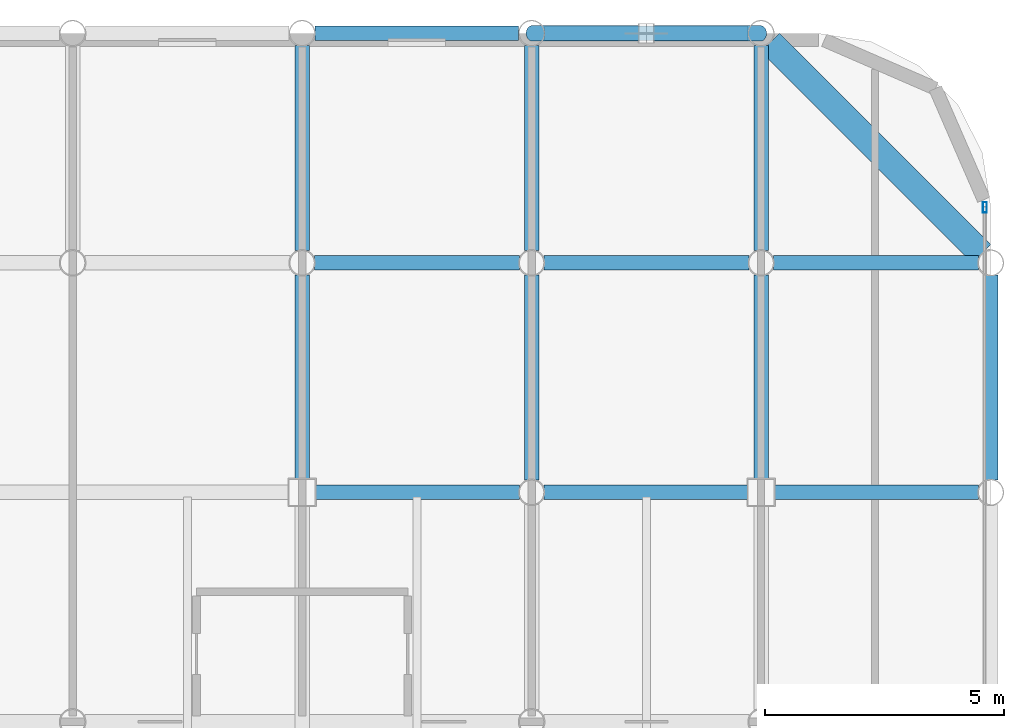
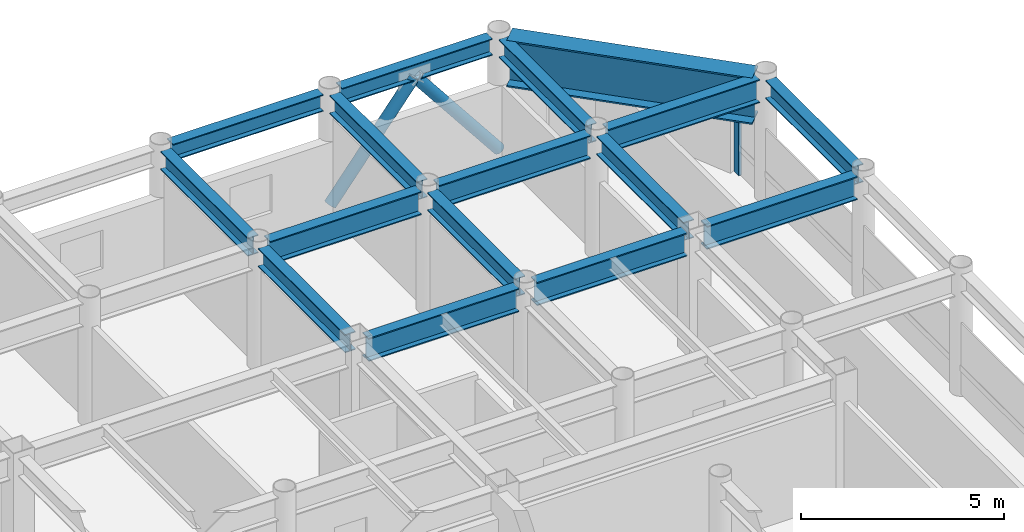
# One storey, part 16 of 22: 16 beams, 3 members, 1 element without a shape of its own.
"""IFC4 building model written with IfcOpenShell, lengths in metres."""

import ifcopenshell
import ifcopenshell.guid

model = None  # the IFC model being written
_history = None  # IfcOwnerHistory: only IFC2X3 demands one
_inside = {}  # id of a spatial element -> (the spatial element, [elements in it])
_under = {}  # id of a project, library or spatial element -> (it, [spatial elements below it])
_declared = {}  # id of a project -> (the project, [libraries it declares])
_typed = {}  # id of a type object -> (the type object, [elements of that type])
_made_of = {}  # id of a material, layer set ... -> (it, [elements and type objects made of it])


def new_model(schema):
    """Start an empty IFC model of exactly this schema.

    Asked for "IFC4X3", IfcOpenShell would pick the latest addendum, in which some entities
    have other attributes; the version numbers below select the first issue.
    IFC2X3 requires an IfcOwnerHistory on every rooted entity: one is made here for all.
    """
    global model, _history
    if schema == "IFC4X3":
        model = ifcopenshell.file(schema_version=(4, 3, 0, 0))
    else:
        model = ifcopenshell.file(schema=schema)
    _inside.clear()
    _under.clear()
    _declared.clear()
    _typed.clear()
    _made_of.clear()
    _history = None
    if model.schema == "IFC2X3":
        org = make("IfcOrganization", Name="unknown")
        user = make(
            "IfcPersonAndOrganization",
            ThePerson=make("IfcPerson", FamilyName="unknown"),
            TheOrganization=org,
        )
        app = make(
            "IfcApplication",
            ApplicationDeveloper=org,
            Version="unknown",
            ApplicationFullName="unknown",
            ApplicationIdentifier="unknown",
        )
        _history = make(
            "IfcOwnerHistory",
            OwningUser=user,
            OwningApplication=app,
            ChangeAction="ADDED",
            CreationDate=0,
        )
    return model


def make(cls, **values):
    """One entity of the class cls with the attributes given. An attribute that is None is left unset."""
    return model.create_entity(
        cls, **{name: value for name, value in values.items() if value is not None}
    )


def rooted(cls, **values):
    """An entity with a GlobalId (a new one), such as an element, a storey or a relation."""
    return make(cls, GlobalId=ifcopenshell.guid.new(), OwnerHistory=_history, **values)


def si_unit(unit_type, name, prefix=None):
    """IfcSIUnit, for example si_unit("LENGTHUNIT", "METRE", prefix="MILLI")."""
    return make("IfcSIUnit", UnitType=unit_type, Prefix=prefix, Name=name)


def assignment(units):
    """IfcUnitAssignment: the units of a project."""
    return None if units is None else make("IfcUnitAssignment", Units=units)


def point(xyz):
    """IfcCartesianPoint."""
    return None if xyz is None else make("IfcCartesianPoint", Coordinates=xyz)


def direction(xyz):
    """IfcDirection."""
    return None if xyz is None else make("IfcDirection", DirectionRatios=xyz)


def frame(location, z_axis=None, x_axis=None):
    """IfcAxis2Placement3D, a coordinate frame: its origin and axes. An axis left out is left unset."""
    return make(
        "IfcAxis2Placement3D",
        Location=point(location),
        Axis=direction(z_axis),
        RefDirection=direction(x_axis),
    )


def frame_2d(location, x_axis=None):
    """IfcAxis2Placement2D, a coordinate frame in the plane: its origin and x axis."""
    return make(
        "IfcAxis2Placement2D", Location=point(location), RefDirection=direction(x_axis)
    )


def origin():
    """The frame at (0, 0, 0) with its axes left unset."""
    return frame((0.0, 0.0, 0.0))


def origin_2d():
    """The frame at (0, 0) in the plane with its x axis left unset."""
    return frame_2d((0.0, 0.0))


def place(relative_to, where):
    """IfcLocalPlacement: puts the frame where relative to a parent placement (None: the world)."""
    return make(
        "IfcLocalPlacement", PlacementRelTo=relative_to, RelativePlacement=where
    )


def context(
    kind, dimensions, precision=None, world=None, true_north=None, identifier=None
):
    """IfcGeometricRepresentationContext, for example the 3D "Model" context."""
    return make(
        "IfcGeometricRepresentationContext",
        ContextIdentifier=identifier,
        ContextType=kind,
        CoordinateSpaceDimension=dimensions,
        Precision=precision,
        WorldCoordinateSystem=world,
        TrueNorth=true_north,
    )


def subcontext(parent, identifier, kind, view, scale=None):
    """IfcGeometricRepresentationSubContext, for example "Body" below "Model"."""
    return make(
        "IfcGeometricRepresentationSubContext",
        ContextIdentifier=identifier,
        ContextType=kind,
        ParentContext=parent,
        TargetScale=scale,
        TargetView=view,
    )


def project(units=None, contexts=None):
    """IfcProject with its units and contexts."""
    return rooted(
        "IfcProject",
        Name="project",
        RepresentationContexts=contexts,
        UnitsInContext=assignment(units),
    )


def spatial(cls, under=None, at=None, **own):
    """A site, building, storey or space (cls), placed at a placement, below another one or the project."""
    s = rooted(cls, ObjectPlacement=at, **own)
    if under is not None:
        _under.setdefault(under.id(), (under, []))[1].append(s)
    return s


def profile(cls, at=None, kind="AREA", **sizes):
    """A parametric profile (cls). Its sizes go by their IFC names, for example OverallWidth=200.0."""
    return make(cls, ProfileType=kind, Position=at, **sizes)


def hollow_rectangle(**sizes):
    """IfcRectangleHollowProfileDef."""
    return profile("IfcRectangleHollowProfileDef", **sizes)


def hollow_circle(**sizes):
    """IfcCircleHollowProfileDef."""
    return profile("IfcCircleHollowProfileDef", **sizes)


def i_section(**sizes):
    """IfcIShapeProfileDef."""
    return profile("IfcIShapeProfileDef", **sizes)


def extrude(swept, where, along, depth):
    """IfcExtrudedAreaSolid: the profile swept, set in the frame where, extruded along a direction by depth."""
    return make(
        "IfcExtrudedAreaSolid",
        SweptArea=swept,
        Position=where,
        ExtrudedDirection=direction(along),
        Depth=depth,
    )


def shape(context_of_items, identifier, shape_type, items):
    """IfcShapeRepresentation: the items that make up one representation, for example the "Body"."""
    return make(
        "IfcShapeRepresentation",
        ContextOfItems=context_of_items,
        RepresentationIdentifier=identifier,
        RepresentationType=shape_type,
        Items=items,
    )


def material(Name=None, Category=None):
    """IfcMaterial."""
    return make("IfcMaterial", Name=Name, Category=Category)


def layer(
    of_material, thickness, ventilated=None, Name=None, Category=None, Priority=None
):
    """IfcMaterialLayer: one layer of a wall or slab, of a material (None: an air gap)."""
    return make(
        "IfcMaterialLayer",
        Material=of_material,
        LayerThickness=thickness,
        IsVentilated=ventilated,
        Name=Name,
        Category=Category,
        Priority=Priority,
    )


def layer_set(layers, Name=None):
    """IfcMaterialLayerSet."""
    return make("IfcMaterialLayerSet", MaterialLayers=layers, LayerSetName=Name)


def material_profile(
    of_material, cross_section, Name=None, Category=None, Priority=None
):
    """IfcMaterialProfile: a cross section and its material."""
    return make(
        "IfcMaterialProfile",
        Name=Name,
        Material=of_material,
        Profile=cross_section,
        Priority=Priority,
        Category=Category,
    )


def profile_set(profiles, Name=None, composite=None):
    """IfcMaterialProfileSet."""
    return make(
        "IfcMaterialProfileSet",
        Name=Name,
        MaterialProfiles=profiles,
        CompositeProfile=composite,
    )


def made_of(thing, what):
    """Note that an element or type object is made of a material, layer set ...; save() writes the relation."""
    if what is not None:
        _made_of.setdefault(what.id(), (what, []))[1].append(thing)
    return thing


def type_object(cls, material=None, **own):
    """A type object (cls), such as IfcWallType, which elements share."""
    return made_of(rooted(cls, **own), material)


def element(
    cls,
    number,
    at=None,
    inside=None,
    cuts=None,
    type_object=None,
    material=None,
    context=None,
    identifier="Body",
    shape_type=None,
    held_by="IfcProductDefinitionShape",
    body=None,
    shapes=None,
    **own,
):
    """One element of the class cls, such as IfcWall. Its Tag is "e" and its number.

    at: its placement. inside: the storey or other place that contains it. cuts: it is an
    opening in that element (IfcRelVoidsElement). A single representation is given by context,
    identifier, shape_type and body (its items); several are given by shapes. held_by: the class
    of the entity that holds the representations. save() writes the other relations.
    """
    e = rooted(cls, Tag="e%d" % number, ObjectPlacement=at, **own)
    if body is not None:
        shapes = [shape(context, identifier, shape_type, body)]
    if shapes is not None:
        e.Representation = make(held_by, Representations=shapes)
    if inside is not None:
        _inside.setdefault(inside.id(), (inside, []))[1].append(e)
    if cuts is not None:
        rooted(
            "IfcRelVoidsElement", RelatingBuildingElement=cuts, RelatedOpeningElement=e
        )
    if type_object is not None:
        _typed.setdefault(type_object.id(), (type_object, []))[1].append(e)
    return made_of(e, material)


def aggregate(whole, parts):
    """IfcRelAggregates: a whole, such as a stair, and the parts it consists of."""
    return rooted("IfcRelAggregates", RelatingObject=whole, RelatedObjects=parts)


def save(model, path):
    """Write the relations noted so far, then the file.

    IfcRelAggregates (storeys below a building ...), IfcRelContainedInSpatialStructure (elements
    in a storey), IfcRelDefinesByType, IfcRelAssociatesMaterial and IfcRelDeclares: one each for
    every whole, place, type object, material and project.
    """
    for whole, parts in _under.values():
        aggregate(whole, parts)
    for where, things in _inside.values():
        rooted(
            "IfcRelContainedInSpatialStructure",
            RelatedElements=things,
            RelatingStructure=where,
        )
    for kind, things in _typed.values():
        rooted("IfcRelDefinesByType", RelatedObjects=things, RelatingType=kind)
    for what, things in _made_of.values():
        rooted("IfcRelAssociatesMaterial", RelatedObjects=things, RelatingMaterial=what)
    for by, libraries in _declared.values():
        rooted("IfcRelDeclares", RelatingContext=by, RelatedDefinitions=libraries)
    model.write(path)


model = new_model("IFC4")

# Units and contexts
model_context = context("Model", 3, precision=1e-05, world=origin(), true_north=direction((0.0, 1.0)))
body_context = subcontext(model_context, "Body", "Model", "MODEL_VIEW")
ifc_project = project(units=[si_unit("LENGTHUNIT", "METRE"), si_unit("AREAUNIT", "SQUARE_METRE"), si_unit("VOLUMEUNIT", "CUBIC_METRE"), si_unit("PLANEANGLEUNIT", "RADIAN"), si_unit("MASSUNIT", "GRAM", prefix="KILO")], contexts=[model_context])

# Site, building, storey
site_placement = place(None, origin())
site = spatial("IfcSite", under=ifc_project, at=site_placement, CompositionType="ELEMENT")
building_placement = place(site_placement, origin())
building = spatial("IfcBuilding", under=site, at=building_placement, Name="Kallvorn Hotel Tower", CompositionType="ELEMENT")
storey_placement = place(building_placement, frame((0.0, 0.0, 264.64990234375)))
storey = spatial("IfcBuildingStorey", under=building, at=storey_placement, Name="L66", CompositionType="ELEMENT", Elevation=264.64990234375)

# Beams
ifc_material_1 = material(Name="Structural steel S355JR", Category="steel")
ifc_material_profile_1 = material_profile(ifc_material_1, i_section(OverallWidth=0.300048828125, OverallDepth=0.5, WebThickness=0.014404296875, FlangeThickness=0.028076171875, at=origin_2d()), Name="HE 500 B")
ifc_profile_set_1 = profile_set([ifc_material_profile_1], Name="Structural steel S355JR")
beam_type_1 = type_object("IfcBeamType", Name="BM_HE500B", PredefinedType="SPANDREL", material=ifc_profile_set_1)
for number, where, z_axis, x_axis, name in (
    (1, (14.66943359375, 24.0, 3.420166015625), (1.0, 0.0, 0.0), (0.0, 1.0, 0.0), "L67 Perimeter Spandrel 172"),
    (2, (19.469482421875, 24.0, 3.420166015625), (1.0, 0.0, 0.0), (0.0, 1.0, 0.0), "L67 Perimeter Spandrel 173"),
):
    element("IfcBeam", number, at=place(storey_placement, frame(where, z_axis=z_axis, x_axis=x_axis)), inside=storey, type_object=beam_type_1, Name=name, PredefinedType="SPANDREL", context=body_context, shape_type="SweptSolid", body=[
        extrude(i_section(OverallWidth=0.300048828125, OverallDepth=0.5, WebThickness=0.014404296875, FlangeThickness=0.028076171875, at=origin_2d()), origin(), (0.0, 0.0, 1.0), 4.260986328125),
    ])
ifc_material_2 = material(Name="Structural steel S355JR", Category="steel")
ifc_material_profile_2 = material_profile(ifc_material_2, i_section(OverallWidth=0.300048828125, OverallDepth=0.550048828125, WebThickness=0.014892578125, FlangeThickness=0.029052734375, at=origin_2d()), Name="HE 550 B")
ifc_profile_set_2 = profile_set([ifc_material_profile_2], Name="Structural steel S355JR")
beam_type_2 = type_object("IfcBeamType", Name="BM_HE550B", PredefinedType="SPANDREL", material=ifc_profile_set_2)
beam_1_placement = place(storey_placement, frame((14.39990234375, 14.675048828125, 3.39501953125), z_axis=(0.0, 1.0, 0.0), x_axis=(-1.0, 0.0, 0.0)))
element("IfcBeam", 3, at=beam_1_placement, inside=storey, type_object=beam_type_2, Name="L67 Primary Y-Girder 125", PredefinedType="SPANDREL", context=body_context, shape_type="SweptSolid", body=[
    extrude(i_section(OverallWidth=0.300048828125, OverallDepth=0.550048828125, WebThickness=0.014892578125, FlangeThickness=0.029052734375, at=origin_2d()), origin(), (0.0, 0.0, 1.0), 4.2705078125),
])
for number, where, z_axis, x_axis, name in (
    (4, (14.39990234375, 19.45458984375, 3.39501953125), (0.0, 1.0, 0.0), (-1.0, 0.0, 0.0), "L67 Primary Y-Girder 126"),
    (5, (19.199951171875, 14.654541015625, 3.39501953125), (0.0, 1.0, 0.0), (-1.0, 0.0, 0.0), "L67 Primary Y-Girder 134"),
    (6, (19.199951171875, 19.45458984375, 3.39501953125), (0.0, 1.0, 0.0), (-1.0, 0.0, 0.0), "L67 Primary Y-Girder 135"),
):
    element("IfcBeam", number, at=place(storey_placement, frame(where, z_axis=z_axis, x_axis=x_axis)), inside=storey, type_object=beam_type_2, Name=name, PredefinedType="SPANDREL", context=body_context, shape_type="SweptSolid", body=[
        extrude(i_section(OverallWidth=0.300048828125, OverallDepth=0.550048828125, WebThickness=0.014892578125, FlangeThickness=0.029052734375, at=origin_2d()), origin(), (0.0, 0.0, 1.0), 4.291015625),
    ])
beam_2_placement = place(storey_placement, frame((24.0, 14.675048828125, 3.39501953125), z_axis=(0.0, 1.0, 0.0), x_axis=(-1.0, 0.0, 0.0)))
element("IfcBeam", 7, at=beam_2_placement, inside=storey, type_object=beam_type_2, Name="L67 Primary Y-Girder 141", PredefinedType="SPANDREL", context=body_context, shape_type="SweptSolid", body=[
    extrude(i_section(OverallWidth=0.300048828125, OverallDepth=0.550048828125, WebThickness=0.014892578125, FlangeThickness=0.029052734375, at=origin_2d()), origin(), (0.0, 0.0, 1.0), 4.2705078125),
])
for number, where, z_axis, x_axis, name in (
    (8, (24.0, 19.45458984375, 3.39501953125), (0.0, 1.0, 0.0), (-1.0, 0.0, 0.0), "L67 Primary Y-Girder 142"),
    (9, (28.800048828125, 14.654541015625, 3.39501953125), (0.0, 1.0, 0.0), (-1.0, 0.0, 0.0), "L67 Primary Y-Girder 150"),
):
    element("IfcBeam", number, at=place(storey_placement, frame(where, z_axis=z_axis, x_axis=x_axis)), inside=storey, type_object=beam_type_2, Name=name, PredefinedType="SPANDREL", context=body_context, shape_type="SweptSolid", body=[
        extrude(i_section(OverallWidth=0.300048828125, OverallDepth=0.550048828125, WebThickness=0.014892578125, FlangeThickness=0.029052734375, at=origin_2d()), origin(), (0.0, 0.0, 1.0), 4.291015625),
    ])
ifc_material_3 = material(Name="Structural steel S355JR", Category="steel")
ifc_material_profile_3 = material_profile(ifc_material_3, i_section(OverallWidth=0.300048828125, OverallDepth=0.699951171875, WebThickness=0.01708984375, FlangeThickness=0.031982421875, at=origin_2d()), Name="HE 700 B")
ifc_profile_set_3 = profile_set([ifc_material_profile_3], Name="Structural steel S355JR")
beam_type_3 = type_object("IfcBeamType", Name="BM_HE700B", PredefinedType="BEAM", material=ifc_profile_set_3)
for number, where, z_axis, x_axis, name in (
    (10, (14.675048828125, 14.39990234375, 3.320068359375), (1.0, 0.0, 0.0), (0.0, 1.0, 0.0), "L67 Primary X-Girder 57"),
    (11, (19.45458984375, 14.39990234375, 3.320068359375), (1.0, 0.0, 0.0), (0.0, 1.0, 0.0), "L67 Primary X-Girder 58"),
    (12, (24.27490234375, 14.39990234375, 3.320068359375), (1.0, 0.0, 0.0), (0.0, 1.0, 0.0), "L67 Primary X-Girder 59"),
):
    element("IfcBeam", number, at=place(storey_placement, frame(where, z_axis=z_axis, x_axis=x_axis)), inside=storey, type_object=beam_type_3, Name=name, PredefinedType="BEAM", context=body_context, shape_type="SweptSolid", body=[
        extrude(i_section(OverallWidth=0.300048828125, OverallDepth=0.699951171875, WebThickness=0.01708984375, FlangeThickness=0.031982421875, at=origin_2d()), origin(), (0.0, 0.0, 1.0), 4.2705078125),
    ])
for number, where, z_axis, x_axis, name in (
    (13, (14.654541015625, 19.199951171875, 3.320068359375), (1.0, 0.0, 0.0), (0.0, 1.0, 0.0), "L67 Primary X-Girder 70"),
    (14, (19.45458984375, 19.199951171875, 3.320068359375), (1.0, 0.0, 0.0), (0.0, 1.0, 0.0), "L67 Primary X-Girder 71"),
    (15, (24.25439453125, 19.199951171875, 3.320068359375), (1.0, 0.0, 0.0), (0.0, 1.0, 0.0), "L67 Primary X-Girder 72"),
):
    element("IfcBeam", number, at=place(storey_placement, frame(where, z_axis=z_axis, x_axis=x_axis)), inside=storey, type_object=beam_type_3, Name=name, PredefinedType="BEAM", context=body_context, shape_type="SweptSolid", body=[
        extrude(i_section(OverallWidth=0.300048828125, OverallDepth=0.699951171875, WebThickness=0.01708984375, FlangeThickness=0.031982421875, at=origin_2d()), origin(), (0.0, 0.0, 1.0), 4.291015625),
    ])
ifc_material_4 = material(Name="Structural steel S355JR", Category="steel")
ifc_material_profile_4 = material_profile(ifc_material_4, i_section(OverallWidth=0.550048828125, OverallDepth=1.39990234375, WebThickness=0.02490234375, FlangeThickness=0.044921875, at=origin_2d()), Name="PG 1400x550x25x45")
ifc_profile_set_4 = profile_set([ifc_material_profile_4], Name="Structural steel S355JR")
beam_type_4 = type_object("IfcBeamType", Name="BM_PG_1400", PredefinedType="BEAM", material=ifc_profile_set_4)
beam_3_placement = place(storey_placement, frame((28.609375, 19.390625, 2.97021484375), z_axis=(-0.707106781187, 0.707106781187, 0.0), x_axis=(-0.707106781187, -0.707106781187, 0.0)))
element("IfcBeam", 16, at=beam_3_placement, inside=storey, type_object=beam_type_4, Name="L67 Rounded Corner Tie Beam 191", PredefinedType="BEAM", context=body_context, shape_type="SweptSolid", body=[
    extrude(i_section(OverallWidth=0.550048828125, OverallDepth=1.39990234375, WebThickness=0.02490234375, FlangeThickness=0.044921875, at=origin_2d()), origin(), (0.0, 0.0, 1.0), 6.2490234375),
])

# Curtain wall, member
ifc_material_5 = material(Name="Thermally broken black-anodised aluminium AA 6063-T6", Category="aluminium")
ifc_layer = layer(ifc_material_5, 0.22998046875)
ifc_layer_set = layer_set([ifc_layer], Name="CW_SYS_5_HOTEL_HIGH")
curtain_wall_type = type_object("IfcCurtainWallType", Name="CW_SYS_5_HOTEL_HIGH", PredefinedType="USERDEFINED", material=ifc_layer_set)
curtain_wall_placement = place(storey_placement, origin())
curtain_wall = element("IfcCurtainWall", 17, at=curtain_wall_placement, inside=storey, type_object=curtain_wall_type, Name="L66 Dark-Glass Curtain Wall CW-L66-EN", ObjectType="UNITISED CURTAIN WALL", PredefinedType="USERDEFINED")
ifc_material_6 = material(Name="Thermally broken black-anodised aluminium AA 6063-T6", Category="aluminium")
ifc_material_profile_5 = material_profile(ifc_material_6, hollow_rectangle(XDim=0.080078125, YDim=0.219970703125, WallThickness=0.0048828125, at=origin_2d()), Name="MUL 220x80")
ifc_profile_set_5 = profile_set([ifc_material_profile_5], Name="Thermally broken black-anodised aluminium AA 6063-T6")
member_type_1 = type_object("IfcMemberType", Name="CW_MULLION_220x80", PredefinedType="MULLION", material=ifc_profile_set_5)
member_placement = place(storey_placement, frame((28.679931640625, 20.360107421875, 0.02001953125), z_axis=(0.0, 0.0, 1.0), x_axis=(1.0, 0.0, 0.0)))
member = element("IfcMember", 18, at=member_placement, type_object=member_type_1, Name="CW-L66-EN Mullion 01", PredefinedType="MULLION", context=body_context, shape_type="SweptSolid", body=[
    extrude(hollow_rectangle(XDim=0.080078125, YDim=0.219970703125, WallThickness=0.0048828125, at=origin_2d()), origin(), (0.0, 0.0, 1.0), 2.22998046875),
])
aggregate(curtain_wall, [member])

# Members
ifc_material_7 = material(Name="Structural steel S355J2H", Category="steel")
ifc_material_profile_6 = material_profile(ifc_material_7, hollow_circle(Radius=0.161865234375, WallThickness=0.012451171875, at=origin_2d()), Name="CHS 323.9x12.5")
ifc_profile_set_6 = profile_set([ifc_material_profile_6], Name="Structural steel S355J2H")
member_type_2 = type_object("IfcMemberType", Name="MBR_EXO_CHS323", PredefinedType="BRACE", material=ifc_profile_set_6)
for number, where, z_axis, x_axis, name in (
    (19, (19.21240234375, 24.0, 0.19580078125), (0.620928510901, 0.0, 0.783867198159), (0.0, 1.0, 0.0), "L66 Exoskeleton K-Brace N2A"),
    (20, (23.987548828125, 24.0, 0.19580078125), (-0.620928510901, 0.0, 0.783867198159), (0.0, -1.0, 0.0), "L66 Exoskeleton K-Brace N2B"),
):
    element("IfcMember", number, at=place(storey_placement, frame(where, z_axis=z_axis, x_axis=x_axis)), inside=storey, type_object=member_type_2, Name=name, PredefinedType="BRACE", context=body_context, shape_type="SweptSolid", body=[
        extrude(hollow_circle(Radius=0.161865234375, WallThickness=0.012451171875, at=origin_2d()), origin(), (0.0, 0.0, 1.0), 3.8251953125),
    ])

save(model, "model.ifc")
